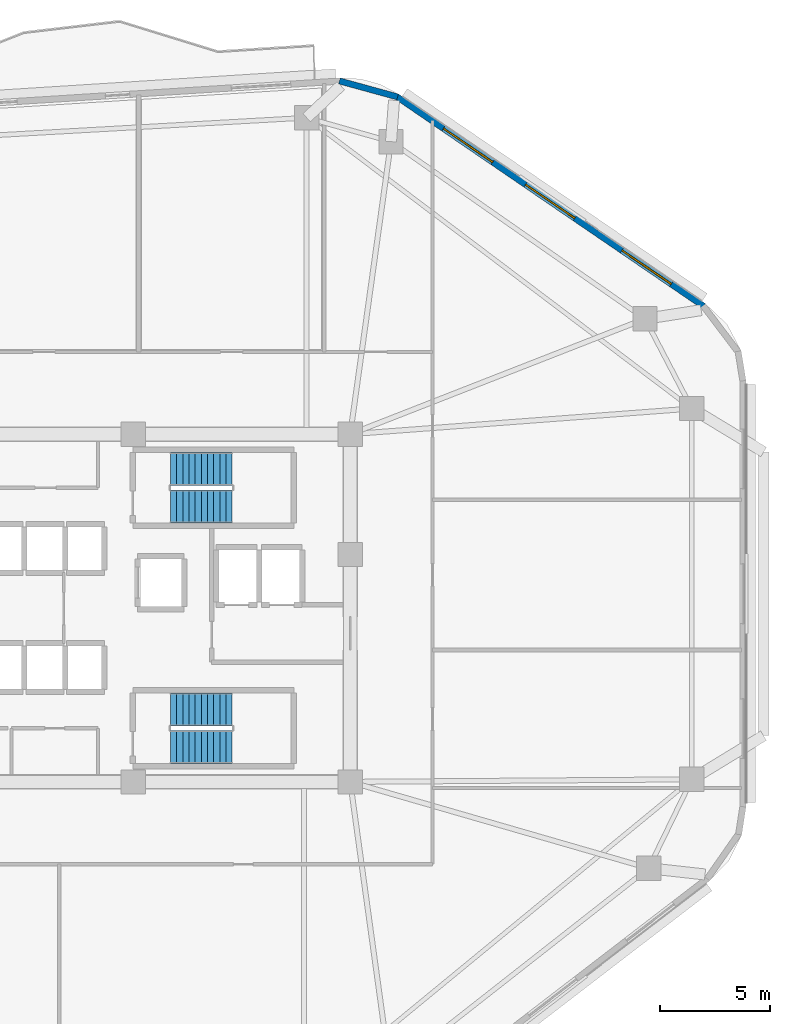
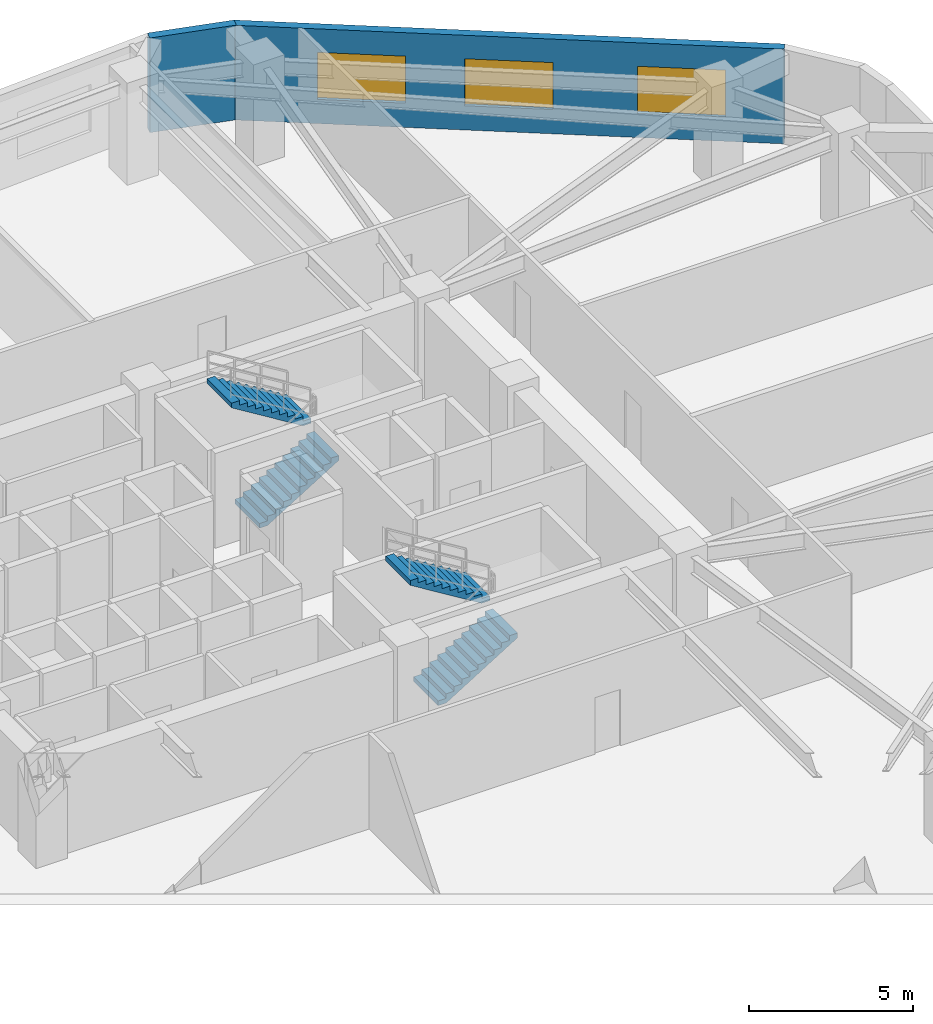
# One storey, part 6 of 10: 4 stair flights, 3 windows, 2 walls, 3 openings, 2 elements without a shape of their own.
"""IFC4 building model written with IfcOpenShell, lengths in metres."""

from ifc_helpers import new_model, si_unit, direction, frame, frame_2d, origin, place, context, subcontext, project, spatial, polyline, rectangle, outline, extrude, material, layer, layer_set, type_object, element, fill, aggregate, save


model = new_model("IFC4")

# Units and contexts
model_context = context("Model", 3, precision=1e-05, world=origin(), true_north=direction((0.0, 1.0)))
body_context = subcontext(model_context, "Body", "Model", "MODEL_VIEW")
ifc_project = project(units=[si_unit("LENGTHUNIT", "METRE"), si_unit("AREAUNIT", "SQUARE_METRE"), si_unit("VOLUMEUNIT", "CUBIC_METRE"), si_unit("PLANEANGLEUNIT", "RADIAN"), si_unit("MASSUNIT", "GRAM", prefix="KILO")], contexts=[model_context])

# Site, building, storey
site_placement = place(None, origin())
site = spatial("IfcSite", under=ifc_project, at=site_placement, CompositionType="ELEMENT")
building_placement = place(site_placement, origin())
building = spatial("IfcBuilding", under=site, at=building_placement, Name="Zulverin Broadcast Headquarters", CompositionType="ELEMENT")
storey_placement = place(building_placement, frame((0.0, 0.0, 97.199951171875)))
storey = spatial("IfcBuildingStorey", under=building, at=storey_placement, Name="L24", CompositionType="ELEMENT", Elevation=97.199951171875)

# Wall, openings, windows
ifc_material_1 = material(Name="Insulated pale-metal clad concrete spandrel C40/50", Category="concrete")
ifc_layer = layer(ifc_material_1, 0.280029296875, Name="Insulated pale-metal clad concrete spandrel C40/50", Category="concrete")
ifc_layer_set = layer_set([ifc_layer], Name="Insulated pale-metal clad concrete spandrel C40/50")
wall_type = type_object("IfcWallType", Name="WL-EXT-280", PredefinedType="STANDARD", material=ifc_layer_set)
wall_1_placement = place(storey_placement, frame((64.289794921875, 38.8671875, 0.0), z_axis=(0.0, 0.0, 1.0), x_axis=(-0.825755550159, 0.564028165416, 0.0)))
wall_1 = element("IfcWall", 1, at=wall_1_placement, inside=storey, type_object=wall_type, Name="L24 Pale-Metal Clad Spandrel Wall 4", PredefinedType="STANDARD", context=body_context, shape_type="SweptSolid", body=[
    extrude(rectangle(XDim=16.848388671875, YDim=0.280029296875, at=frame_2d((8.42431640625, 0.0))), origin(), (0.0, 0.0, 1.0), 3.525146484375),
])
opening_1_placement = place(wall_1_placement, frame((1.79150390625, 0.0, 0.89990234375)))
opening_1 = element("IfcOpeningElement", 2, at=opening_1_placement, cuts=wall_1, Name="Opening W-L24-E41", PredefinedType="OPENING", context=body_context, shape_type="SweptSolid", body=[
    extrude(rectangle(XDim=2.699951171875, YDim=1.75, at=frame_2d((1.35009765625, 0.875))), frame((0.0, 0.14990234375, 0.0), z_axis=(0.0, -1.0, 0.0), x_axis=(1.0, 0.0, 0.0)), (0.0, 0.0, 1.0), 0.300048828125),
])
opening_2_placement = place(wall_1_placement, frame((7.07421875, 0.0, 0.89990234375)))
opening_2 = element("IfcOpeningElement", 3, at=opening_2_placement, cuts=wall_1, Name="Opening W-L24-E42", PredefinedType="OPENING", context=body_context, shape_type="SweptSolid", body=[
    extrude(rectangle(XDim=2.699951171875, YDim=1.75, at=frame_2d((1.35009765625, 0.875))), frame((0.0, 0.14990234375, 0.0), z_axis=(0.0, -1.0, 0.0), x_axis=(1.0, 0.0, 0.0)), (0.0, 0.0, 1.0), 0.300048828125),
])
opening_3_placement = place(wall_1_placement, frame((11.576904296875, 0.0, 0.89990234375)))
opening_3 = element("IfcOpeningElement", 4, at=opening_3_placement, cuts=wall_1, Name="Opening W-L24-E43", PredefinedType="OPENING", context=body_context, shape_type="SweptSolid", body=[
    extrude(rectangle(XDim=2.699951171875, YDim=1.75, at=frame_2d((1.35009765625, 0.875))), frame((0.0, 0.14990234375, 0.0), z_axis=(0.0, -1.0, 0.0), x_axis=(1.0, 0.0, 0.0)), (0.0, 0.0, 1.0), 0.300048828125),
])
ifc_material_2 = material(Name="Pale anodized aluminium frame with solar-control low-E double glazing", Category="aluminium")
window_type = type_object("IfcWindowType", Name="WIN-TWR-2700", PartitioningType="SINGLE_PANEL", PredefinedType="WINDOW", material=ifc_material_2)
window_1_placement = place(opening_1_placement, origin())
window_1 = element("IfcWindow", 5, at=window_1_placement, inside=storey, type_object=window_type, Name="L24 Ribbon Glazing Window 4 1", OverallHeight=1.75, OverallWidth=2.699951171875, PartitioningType="SINGLE_PANEL", PredefinedType="WINDOW", context=body_context, shape_type="SweptSolid", body=[
    extrude(rectangle(XDim=2.699951171875, YDim=1.75, at=frame_2d((1.35009765625, 0.875))), frame((0.0, 0.030029296875, 0.0), z_axis=(0.0, -1.0, 0.0), x_axis=(1.0, 0.0, 0.0)), (0.0, 0.0, 1.0), 0.06005859375),
])
fill(opening_1, window_1)
window_2_placement = place(opening_2_placement, origin())
window_2 = element("IfcWindow", 6, at=window_2_placement, inside=storey, type_object=window_type, Name="L24 Ribbon Glazing Window 4 2", OverallHeight=1.75, OverallWidth=2.699951171875, PartitioningType="SINGLE_PANEL", PredefinedType="WINDOW", context=body_context, shape_type="SweptSolid", body=[
    extrude(rectangle(XDim=2.699951171875, YDim=1.75, at=frame_2d((1.35009765625, 0.875))), frame((0.0, 0.030029296875, 0.0), z_axis=(0.0, -1.0, 0.0), x_axis=(1.0, 0.0, 0.0)), (0.0, 0.0, 1.0), 0.06005859375),
])
fill(opening_2, window_2)
window_3_placement = place(opening_3_placement, origin())
window_3 = element("IfcWindow", 7, at=window_3_placement, inside=storey, type_object=window_type, Name="L24 Ribbon Glazing Window 4 3", OverallHeight=1.75, OverallWidth=2.699951171875, PartitioningType="SINGLE_PANEL", PredefinedType="WINDOW", context=body_context, shape_type="SweptSolid", body=[
    extrude(rectangle(XDim=2.699951171875, YDim=1.75, at=frame_2d((1.35009765625, 0.875))), frame((0.0, 0.030029296875, 0.0), z_axis=(0.0, -1.0, 0.0), x_axis=(1.0, 0.0, 0.0)), (0.0, 0.0, 1.0), 0.06005859375),
])
fill(opening_3, window_3)

# Wall
wall_2_placement = place(storey_placement, frame((50.419189453125, 48.3505859375, 0.0), z_axis=(0.0, 0.0, 1.0), x_axis=(-0.964254516967, 0.264977784933, 0.0)))
element("IfcWall", 8, at=wall_2_placement, inside=storey, type_object=wall_type, Name="L24 Wind-Shaped Corner Spandrel Wall 4-1", PredefinedType="STANDARD", context=body_context, shape_type="SweptSolid", body=[
    extrude(rectangle(XDim=2.73095703125, YDim=0.280029296875, at=frame_2d((1.365478515625, 0.0))), origin(), (0.0, 0.0, 1.0), 3.525146484375),
])

# Stair, stair flights
ifc_material_3 = material(Name="Concrete C40/50", Category="concrete")
stair_type = type_object("IfcStairType", Name="ST-CORE-1500", PredefinedType="HALF_TURN_STAIR", material=ifc_material_3)
stair_1_placement = place(storey_placement, origin())
stair_1 = element("IfcStair", 9, at=stair_1_placement, inside=storey, type_object=stair_type, Name="L24 Core Exit Stair ST-1", PredefinedType="HALF_TURN_STAIR")
stair_flight_type = type_object("IfcStairFlightType", Name="SF-CORE-1500", PredefinedType="STRAIGHT", material=ifc_material_3)
stair_flight_1_placement = place(storey_placement, frame((40.1298828125, 29.800048828125, 0.0), z_axis=(0.0, 0.0, 1.0), x_axis=(1.0, 0.0, 0.0)))
stair_flight_1 = element("IfcStairFlight", 10, at=stair_flight_1_placement, type_object=stair_flight_type, Name="ST-1 flight 1", NumberOfRisers=11, NumberOfTreads=10, PredefinedType="STRAIGHT", RiserHeight=0.172727273, TreadLength=0.28, context=body_context, shape_type="SweptSolid", body=[
    extrude(outline(polyline([(0.0, 0.0), (0.0, 0.172607421875), (0.280029296875, 0.172607421875), (0.280029296875, 0.345458984375), (0.56005859375, 0.345458984375), (0.56005859375, 0.51806640625), (0.840087890625, 0.51806640625), (0.840087890625, 0.69091796875), (1.1201171875, 0.69091796875), (1.1201171875, 0.863525390625), (1.39990234375, 0.863525390625), (1.39990234375, 1.036376953125), (1.679931640625, 1.036376953125), (1.679931640625, 1.208984375), (1.9599609375, 1.208984375), (1.9599609375, 1.3818359375), (2.239990234375, 1.3818359375), (2.239990234375, 1.554443359375), (2.52001953125, 1.554443359375), (2.52001953125, 1.727294921875), (2.800048828125, 1.727294921875), (2.800048828125, 1.89990234375), (2.800048828125, 1.551025390625), (0.285400390625, 0.0), (0.0, 0.0)])), frame((0.0, 0.75, 0.0), z_axis=(0.0, -1.0, 0.0), x_axis=(1.0, 0.0, 0.0)), (0.0, 0.0, 1.0), 1.5),
])
stair_flight_2_placement = place(storey_placement, frame((42.929931640625, 31.5, 1.900146484375), z_axis=(0.0, 0.0, 1.0), x_axis=(-1.0, 0.0, 0.0)))
stair_flight_2 = element("IfcStairFlight", 11, at=stair_flight_2_placement, type_object=stair_flight_type, Name="ST-1 flight 2", NumberOfRisers=11, NumberOfTreads=10, PredefinedType="STRAIGHT", RiserHeight=0.172727273, TreadLength=0.28, context=body_context, shape_type="SweptSolid", body=[
    extrude(outline(polyline([(0.0, 0.0), (0.0, 0.172607421875), (0.280029296875, 0.172607421875), (0.280029296875, 0.345458984375), (0.56005859375, 0.345458984375), (0.56005859375, 0.51806640625), (0.840087890625, 0.51806640625), (0.840087890625, 0.69091796875), (1.1201171875, 0.69091796875), (1.1201171875, 0.863525390625), (1.39990234375, 0.863525390625), (1.39990234375, 1.036376953125), (1.679931640625, 1.036376953125), (1.679931640625, 1.208984375), (1.9599609375, 1.208984375), (1.9599609375, 1.3818359375), (2.239990234375, 1.3818359375), (2.239990234375, 1.554443359375), (2.52001953125, 1.554443359375), (2.52001953125, 1.727294921875), (2.800048828125, 1.727294921875), (2.800048828125, 1.89990234375), (2.800048828125, 1.551025390625), (0.285400390625, 0.0), (0.0, 0.0)])), frame((0.0, 0.75, 0.0), z_axis=(0.0, -1.0, 0.0), x_axis=(1.0, 0.0, 0.0)), (0.0, 0.0, 1.0), 1.5),
])
aggregate(stair_1, [stair_flight_1, stair_flight_2])

stair_2_placement = place(storey_placement, origin())
stair_2 = element("IfcStair", 12, at=stair_2_placement, inside=storey, type_object=stair_type, Name="L24 Core Exit Stair ST-2", PredefinedType="HALF_TURN_STAIR")
stair_flight_3_placement = place(storey_placement, frame((40.1298828125, 18.89990234375, 0.0), z_axis=(0.0, 0.0, 1.0), x_axis=(1.0, 0.0, 0.0)))
stair_flight_3 = element("IfcStairFlight", 13, at=stair_flight_3_placement, type_object=stair_flight_type, Name="ST-2 flight 1", NumberOfRisers=11, NumberOfTreads=10, PredefinedType="STRAIGHT", RiserHeight=0.172727273, TreadLength=0.28, context=body_context, shape_type="SweptSolid", body=[
    extrude(outline(polyline([(0.0, 0.0), (0.0, 0.172607421875), (0.280029296875, 0.172607421875), (0.280029296875, 0.345458984375), (0.56005859375, 0.345458984375), (0.56005859375, 0.51806640625), (0.840087890625, 0.51806640625), (0.840087890625, 0.69091796875), (1.1201171875, 0.69091796875), (1.1201171875, 0.863525390625), (1.39990234375, 0.863525390625), (1.39990234375, 1.036376953125), (1.679931640625, 1.036376953125), (1.679931640625, 1.208984375), (1.9599609375, 1.208984375), (1.9599609375, 1.3818359375), (2.239990234375, 1.3818359375), (2.239990234375, 1.554443359375), (2.52001953125, 1.554443359375), (2.52001953125, 1.727294921875), (2.800048828125, 1.727294921875), (2.800048828125, 1.89990234375), (2.800048828125, 1.551025390625), (0.285400390625, 0.0), (0.0, 0.0)])), frame((0.0, 0.75, 0.0), z_axis=(0.0, -1.0, 0.0), x_axis=(1.0, 0.0, 0.0)), (0.0, 0.0, 1.0), 1.5),
])
stair_flight_4_placement = place(storey_placement, frame((42.929931640625, 20.60009765625, 1.900146484375), z_axis=(0.0, 0.0, 1.0), x_axis=(-1.0, 0.0, 0.0)))
stair_flight_4 = element("IfcStairFlight", 14, at=stair_flight_4_placement, type_object=stair_flight_type, Name="ST-2 flight 2", NumberOfRisers=11, NumberOfTreads=10, PredefinedType="STRAIGHT", RiserHeight=0.172727273, TreadLength=0.28, context=body_context, shape_type="SweptSolid", body=[
    extrude(outline(polyline([(0.0, 0.0), (0.0, 0.172607421875), (0.280029296875, 0.172607421875), (0.280029296875, 0.345458984375), (0.56005859375, 0.345458984375), (0.56005859375, 0.51806640625), (0.840087890625, 0.51806640625), (0.840087890625, 0.69091796875), (1.1201171875, 0.69091796875), (1.1201171875, 0.863525390625), (1.39990234375, 0.863525390625), (1.39990234375, 1.036376953125), (1.679931640625, 1.036376953125), (1.679931640625, 1.208984375), (1.9599609375, 1.208984375), (1.9599609375, 1.3818359375), (2.239990234375, 1.3818359375), (2.239990234375, 1.554443359375), (2.52001953125, 1.554443359375), (2.52001953125, 1.727294921875), (2.800048828125, 1.727294921875), (2.800048828125, 1.89990234375), (2.800048828125, 1.551025390625), (0.285400390625, 0.0), (0.0, 0.0)])), frame((0.0, 0.75, 0.0), z_axis=(0.0, -1.0, 0.0), x_axis=(1.0, 0.0, 0.0)), (0.0, 0.0, 1.0), 1.5),
])
aggregate(stair_2, [stair_flight_3, stair_flight_4])

save(model, "model.ifc")
